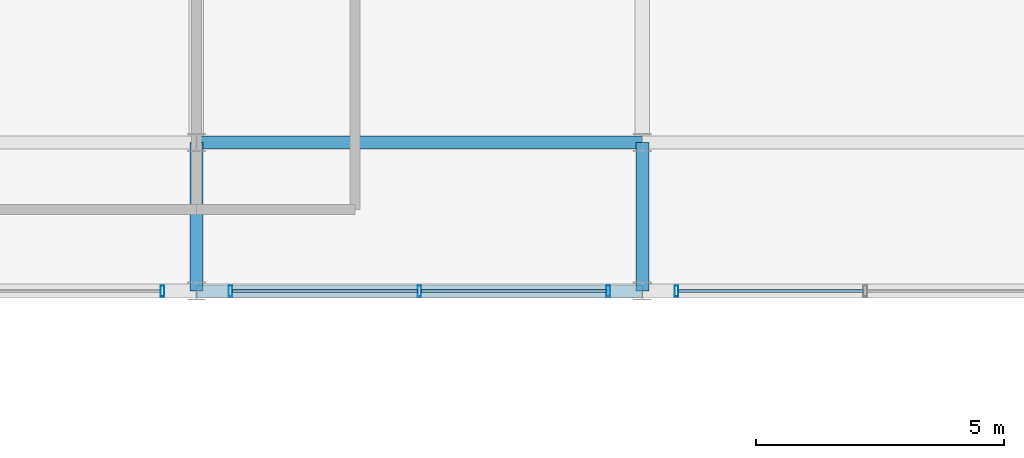
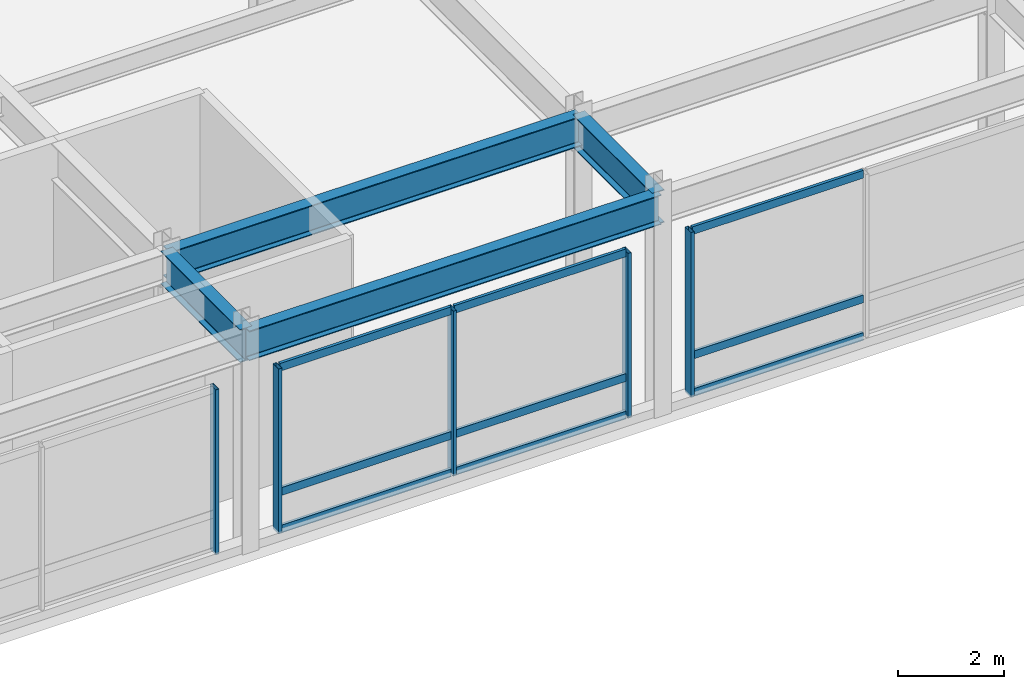
# One storey, part 61 of 100: 14 members, 4 beams, 3 elements without a shape of their own.
"""IFC4 building model written with IfcOpenShell, lengths in metres."""

from ifc_helpers import new_model, si_unit, direction, frame, origin, origin_2d, place, context, subcontext, project, spatial, hollow_rectangle, i_section, extrude, material, material_profile, profile_set, type_object, element, aggregate, save


model = new_model("IFC4")

# Units and contexts
model_context = context("Model", 3, precision=1e-05, world=origin(), true_north=direction((0.0, 1.0)))
body_context = subcontext(model_context, "Body", "Model", "MODEL_VIEW")
ifc_project = project(units=[si_unit("LENGTHUNIT", "METRE"), si_unit("AREAUNIT", "SQUARE_METRE"), si_unit("VOLUMEUNIT", "CUBIC_METRE"), si_unit("PLANEANGLEUNIT", "RADIAN"), si_unit("MASSUNIT", "GRAM", prefix="KILO")], contexts=[model_context])

# Site, building, storey
site_placement = place(None, origin())
site = spatial("IfcSite", under=ifc_project, at=site_placement, CompositionType="ELEMENT")
building_placement = place(site_placement, origin())
building = spatial("IfcBuilding", under=site, at=building_placement, Name="Kaldorvane Square Convention Centre", CompositionType="ELEMENT")
storey_placement = place(building_placement, frame((0.0, 0.0, 18.0)))
storey = spatial("IfcBuildingStorey", under=building, at=storey_placement, Name="L03", CompositionType="ELEMENT", Elevation=18.0)

# Beams
ifc_material_1 = material(Name="Steel ASTM A992 Gr. 50", Category="steel")
ifc_material_profile_1 = material_profile(ifc_material_1, i_section(OverallWidth=0.25439453125, OverallDepth=0.6880950927734375, WebThickness=0.0131072998046875, FlangeThickness=0.0211029052734375, FilletRadius=0.01519775390625, at=origin_2d()), Name="W27X102")
ifc_profile_set_1 = profile_set([ifc_material_profile_1], Name="Steel ASTM A992 Gr. 50")
beam_type_1 = type_object("IfcBeamType", Name="BM-GR-W27X102", PredefinedType="BEAM", material=ifc_profile_set_1)
for number, where, z_axis, x_axis, name in (
    (1, (147.0, 81.0, 4.731903076171875), (1.0, 0.0, 0.0), (0.0, 1.0, 0.0), "Primary Girder (L03)"),
    (2, (147.0, 84.0, 4.731903076171875), (1.0, 0.0, 0.0), (0.0, 1.0, 0.0), "Primary Girder (L03)"),
):
    element("IfcBeam", number, at=place(storey_placement, frame(where, z_axis=z_axis, x_axis=x_axis)), inside=storey, type_object=beam_type_1, Name=name, PredefinedType="BEAM", context=body_context, shape_type="SweptSolid", body=[
        extrude(i_section(OverallWidth=0.25439453125, OverallDepth=0.6880950927734375, WebThickness=0.0131072998046875, FlangeThickness=0.0211029052734375, FilletRadius=0.01519775390625, at=origin_2d()), origin(), (0.0, 0.0, 1.0), 9.0),
    ])
ifc_material_profile_2 = material_profile(ifc_material_1, i_section(OverallWidth=0.2666015625, OverallDepth=0.762298583984375, WebThickness=0.014404296875, FlangeThickness=0.0216064453125, FilletRadius=0.0164947509765625, at=origin_2d()), Name="W30X116")
ifc_profile_set_2 = profile_set([ifc_material_profile_2], Name="Steel ASTM A992 Gr. 50")
beam_type_2 = type_object("IfcBeamType", Name="BM-GR-W30X116", PredefinedType="BEAM", material=ifc_profile_set_2)
for number, where, z_axis, x_axis, name in (
    (3, (147.0, 81.0, 4.694793701171875), (0.0, 1.0, 0.0), (-1.0, 0.0, 0.0), "Transverse Girder (L03)"),
    (4, (156.0, 81.0, 4.694793701171875), (0.0, 1.0, 0.0), (-1.0, 0.0, 0.0), "Transverse Girder (L03)"),
):
    element("IfcBeam", number, at=place(storey_placement, frame(where, z_axis=z_axis, x_axis=x_axis)), inside=storey, type_object=beam_type_2, Name=name, PredefinedType="BEAM", context=body_context, shape_type="SweptSolid", body=[
        extrude(i_section(OverallWidth=0.2666015625, OverallDepth=0.762298583984375, WebThickness=0.014404296875, FlangeThickness=0.0216064453125, FilletRadius=0.0164947509765625, at=origin_2d()), origin(), (0.0, 0.0, 1.0), 3.0),
    ])

# Curtain wall, member
ifc_material_2 = material(Name="Anodized Aluminum and Low-E Insulated Glazing", Category="aluminium")
curtain_wall_type = type_object("IfcCurtainWallType", Name="CW-PTS-FC-54", PredefinedType="USERDEFINED", material=ifc_material_2)
curtain_wall_1_placement = place(storey_placement, origin())
curtain_wall_1 = element("IfcCurtainWall", 5, at=curtain_wall_1_placement, inside=storey, type_object=curtain_wall_type, Name="Curtain Wall CW-08 (L03)", ObjectType="POINT SUPPORTED GLAZING", PredefinedType="USERDEFINED")
ifc_material_profile_3 = material_profile(ifc_material_2, hollow_rectangle(XDim=0.0749969482421875, YDim=0.220001220703125, WallThickness=0.003997802734375, at=origin_2d()), Name="CWM-220X75")
ifc_profile_set_3 = profile_set([ifc_material_profile_3], Name="Anodized Aluminum and Low-E Insulated Glazing")
member_type_1 = type_object("IfcMemberType", Name="CW-MUL-220", PredefinedType="MULLION", material=ifc_profile_set_3)
member_1_placement = place(storey_placement, frame((146.3125, 81.0, 0.149993896484375), z_axis=(0.0, 0.0, 1.0), x_axis=(1.0, 0.0, 0.0)))
member_1 = element("IfcMember", 6, at=member_1_placement, type_object=member_type_1, Name="CW-08 mullion 3", PredefinedType="MULLION", context=body_context, shape_type="SweptSolid", body=[
    extrude(hollow_rectangle(XDim=0.0749969482421875, YDim=0.220001220703125, WallThickness=0.003997802734375, at=origin_2d()), origin(), (0.0, 0.0, 1.0), 3.8100128173828125),
])
aggregate(curtain_wall_1, [member_1])

# Curtain wall, members
curtain_wall_2_placement = place(storey_placement, origin())
curtain_wall_2 = element("IfcCurtainWall", 7, at=curtain_wall_2_placement, inside=storey, type_object=curtain_wall_type, Name="Curtain Wall CW-08 (L03)", ObjectType="POINT SUPPORTED GLAZING", PredefinedType="USERDEFINED")
member_2_placement = place(storey_placement, frame((147.6875, 81.0, 0.149993896484375), z_axis=(0.0, 0.0, 1.0), x_axis=(1.0, 0.0, 0.0)))
member_2 = element("IfcMember", 8, at=member_2_placement, type_object=member_type_1, Name="CW-08 mullion 1", PredefinedType="MULLION", context=body_context, shape_type="SweptSolid", body=[
    extrude(hollow_rectangle(XDim=0.0749969482421875, YDim=0.220001220703125, WallThickness=0.003997802734375, at=origin_2d()), origin(), (0.0, 0.0, 1.0), 3.8100128173828125),
])
member_3_placement = place(storey_placement, frame((151.5, 81.0, 0.149993896484375), z_axis=(0.0, 0.0, 1.0), x_axis=(1.0, 0.0, 0.0)))
member_3 = element("IfcMember", 9, at=member_3_placement, type_object=member_type_1, Name="CW-08 mullion 2", PredefinedType="MULLION", context=body_context, shape_type="SweptSolid", body=[
    extrude(hollow_rectangle(XDim=0.0749969482421875, YDim=0.220001220703125, WallThickness=0.003997802734375, at=origin_2d()), origin(), (0.0, 0.0, 1.0), 3.8100128173828125),
])
member_4_placement = place(storey_placement, frame((155.3125, 81.0, 0.149993896484375), z_axis=(0.0, 0.0, 1.0), x_axis=(1.0, 0.0, 0.0)))
member_4 = element("IfcMember", 10, at=member_4_placement, type_object=member_type_1, Name="CW-08 mullion 3", PredefinedType="MULLION", context=body_context, shape_type="SweptSolid", body=[
    extrude(hollow_rectangle(XDim=0.0749969482421875, YDim=0.220001220703125, WallThickness=0.003997802734375, at=origin_2d()), origin(), (0.0, 0.0, 1.0), 3.8100128173828125),
])

# Curtain wall, member
curtain_wall_3_placement = place(storey_placement, origin())
curtain_wall_3 = element("IfcCurtainWall", 11, at=curtain_wall_3_placement, inside=storey, type_object=curtain_wall_type, Name="Curtain Wall CW-08 (L03)", ObjectType="POINT SUPPORTED GLAZING", PredefinedType="USERDEFINED")
member_5_placement = place(storey_placement, frame((156.6875, 81.0, 0.149993896484375), z_axis=(0.0, 0.0, 1.0), x_axis=(1.0, 0.0, 0.0)))
member_5 = element("IfcMember", 12, at=member_5_placement, type_object=member_type_1, Name="CW-08 mullion 1", PredefinedType="MULLION", context=body_context, shape_type="SweptSolid", body=[
    extrude(hollow_rectangle(XDim=0.0749969482421875, YDim=0.220001220703125, WallThickness=0.003997802734375, at=origin_2d()), origin(), (0.0, 0.0, 1.0), 3.8100128173828125),
])

# Member
ifc_material_profile_4 = material_profile(ifc_material_2, hollow_rectangle(XDim=0.06500244140625, YDim=0.17999267578125, WallThickness=0.0034942626953125, at=origin_2d()), Name="CWT-180X65")
ifc_profile_set_4 = profile_set([ifc_material_profile_4], Name="Anodized Aluminum and Low-E Insulated Glazing")
member_type_2 = type_object("IfcMemberType", Name="CW-TRN-180", PredefinedType="USERDEFINED", material=ifc_profile_set_4)
member_6_placement = place(storey_placement, frame((147.72500610351562, 81.0, 0.1824951171875), z_axis=(1.0, 0.0, 0.0), x_axis=(0.0, 1.0, 0.0)))
member_6 = element("IfcMember", 13, at=member_6_placement, type_object=member_type_2, Name="CW-08 transom 1.1", ObjectType="TRANSOM", PredefinedType="USERDEFINED", context=body_context, shape_type="SweptSolid", body=[
    extrude(hollow_rectangle(XDim=0.06500244140625, YDim=0.17999267578125, WallThickness=0.0034942626953125, at=origin_2d()), origin(), (0.0, 0.0, 1.0), 3.73748779296875),
])

member_7_placement = place(storey_placement, frame((147.72500610351562, 81.0, 1.0500030517578125), z_axis=(1.0, 0.0, 0.0), x_axis=(0.0, 1.0, 0.0)))
member_7 = element("IfcMember", 14, at=member_7_placement, type_object=member_type_2, Name="CW-08 transom 1.2", ObjectType="TRANSOM", PredefinedType="USERDEFINED", context=body_context, shape_type="SweptSolid", body=[
    extrude(hollow_rectangle(XDim=0.06500244140625, YDim=0.17999267578125, WallThickness=0.0034942626953125, at=origin_2d()), origin(), (0.0, 0.0, 1.0), 3.73748779296875),
])

member_8_placement = place(storey_placement, frame((147.72500610351562, 81.0, 3.9275054931640625), z_axis=(1.0, 0.0, 0.0), x_axis=(0.0, 1.0, 0.0)))
member_8 = element("IfcMember", 15, at=member_8_placement, type_object=member_type_2, Name="CW-08 transom 1.3", ObjectType="TRANSOM", PredefinedType="USERDEFINED", context=body_context, shape_type="SweptSolid", body=[
    extrude(hollow_rectangle(XDim=0.06500244140625, YDim=0.17999267578125, WallThickness=0.0034942626953125, at=origin_2d()), origin(), (0.0, 0.0, 1.0), 3.73748779296875),
])

member_9_placement = place(storey_placement, frame((151.53750610351562, 81.0, 0.1824951171875), z_axis=(1.0, 0.0, 0.0), x_axis=(0.0, 1.0, 0.0)))
member_9 = element("IfcMember", 16, at=member_9_placement, type_object=member_type_2, Name="CW-08 transom 2.1", ObjectType="TRANSOM", PredefinedType="USERDEFINED", context=body_context, shape_type="SweptSolid", body=[
    extrude(hollow_rectangle(XDim=0.06500244140625, YDim=0.17999267578125, WallThickness=0.0034942626953125, at=origin_2d()), origin(), (0.0, 0.0, 1.0), 3.73748779296875),
])

member_10_placement = place(storey_placement, frame((151.53750610351562, 81.0, 1.0500030517578125), z_axis=(1.0, 0.0, 0.0), x_axis=(0.0, 1.0, 0.0)))
member_10 = element("IfcMember", 17, at=member_10_placement, type_object=member_type_2, Name="CW-08 transom 2.2", ObjectType="TRANSOM", PredefinedType="USERDEFINED", context=body_context, shape_type="SweptSolid", body=[
    extrude(hollow_rectangle(XDim=0.06500244140625, YDim=0.17999267578125, WallThickness=0.0034942626953125, at=origin_2d()), origin(), (0.0, 0.0, 1.0), 3.73748779296875),
])

member_11_placement = place(storey_placement, frame((151.53750610351562, 81.0, 3.9275054931640625), z_axis=(1.0, 0.0, 0.0), x_axis=(0.0, 1.0, 0.0)))
member_11 = element("IfcMember", 18, at=member_11_placement, type_object=member_type_2, Name="CW-08 transom 2.3", ObjectType="TRANSOM", PredefinedType="USERDEFINED", context=body_context, shape_type="SweptSolid", body=[
    extrude(hollow_rectangle(XDim=0.06500244140625, YDim=0.17999267578125, WallThickness=0.0034942626953125, at=origin_2d()), origin(), (0.0, 0.0, 1.0), 3.73748779296875),
])

aggregate(curtain_wall_2, [member_2, member_3, member_4, member_6, member_7, member_8, member_9, member_10, member_11])

member_12_placement = place(storey_placement, frame((156.72500610351562, 81.0, 0.1824951171875), z_axis=(1.0, 0.0, 0.0), x_axis=(0.0, 1.0, 0.0)))
member_12 = element("IfcMember", 19, at=member_12_placement, type_object=member_type_2, Name="CW-08 transom 1.1", ObjectType="TRANSOM", PredefinedType="USERDEFINED", context=body_context, shape_type="SweptSolid", body=[
    extrude(hollow_rectangle(XDim=0.06500244140625, YDim=0.17999267578125, WallThickness=0.0034942626953125, at=origin_2d()), origin(), (0.0, 0.0, 1.0), 3.73748779296875),
])

member_13_placement = place(storey_placement, frame((156.72500610351562, 81.0, 1.0500030517578125), z_axis=(1.0, 0.0, 0.0), x_axis=(0.0, 1.0, 0.0)))
member_13 = element("IfcMember", 20, at=member_13_placement, type_object=member_type_2, Name="CW-08 transom 1.2", ObjectType="TRANSOM", PredefinedType="USERDEFINED", context=body_context, shape_type="SweptSolid", body=[
    extrude(hollow_rectangle(XDim=0.06500244140625, YDim=0.17999267578125, WallThickness=0.0034942626953125, at=origin_2d()), origin(), (0.0, 0.0, 1.0), 3.73748779296875),
])

member_14_placement = place(storey_placement, frame((156.72500610351562, 81.0, 3.9275054931640625), z_axis=(1.0, 0.0, 0.0), x_axis=(0.0, 1.0, 0.0)))
member_14 = element("IfcMember", 21, at=member_14_placement, type_object=member_type_2, Name="CW-08 transom 1.3", ObjectType="TRANSOM", PredefinedType="USERDEFINED", context=body_context, shape_type="SweptSolid", body=[
    extrude(hollow_rectangle(XDim=0.06500244140625, YDim=0.17999267578125, WallThickness=0.0034942626953125, at=origin_2d()), origin(), (0.0, 0.0, 1.0), 3.73748779296875),
])

aggregate(curtain_wall_3, [member_5, member_12, member_13, member_14])

save(model, "model.ifc")
